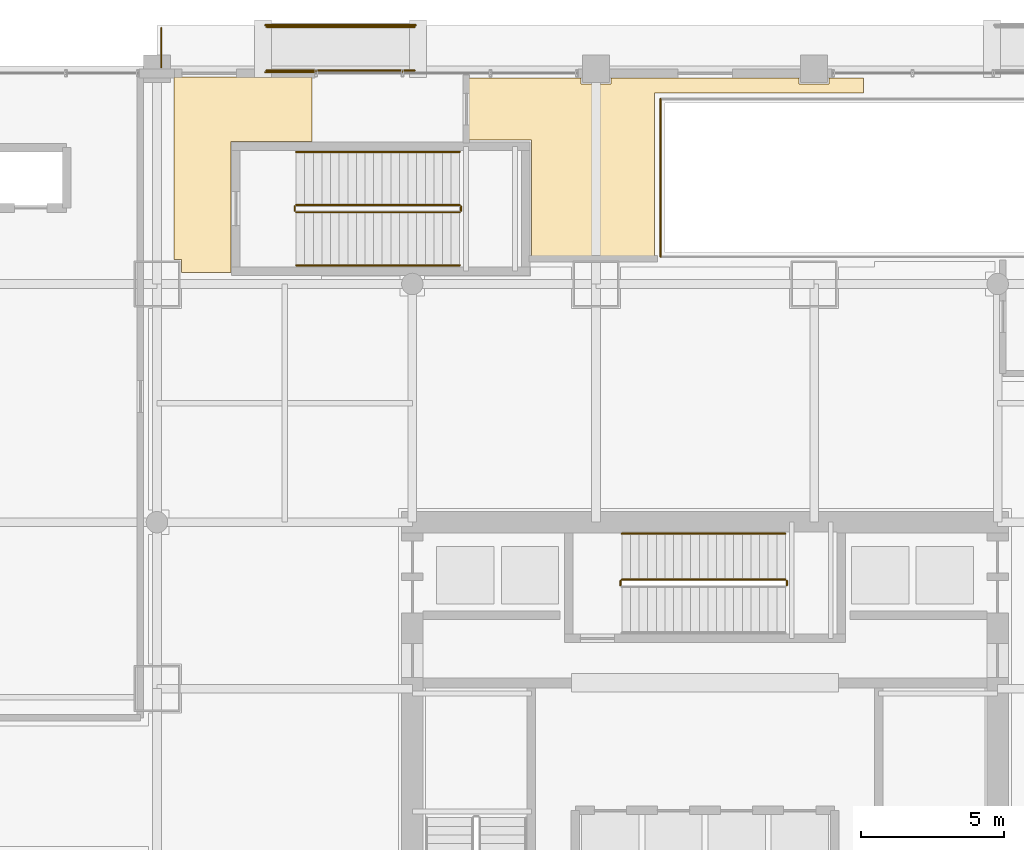
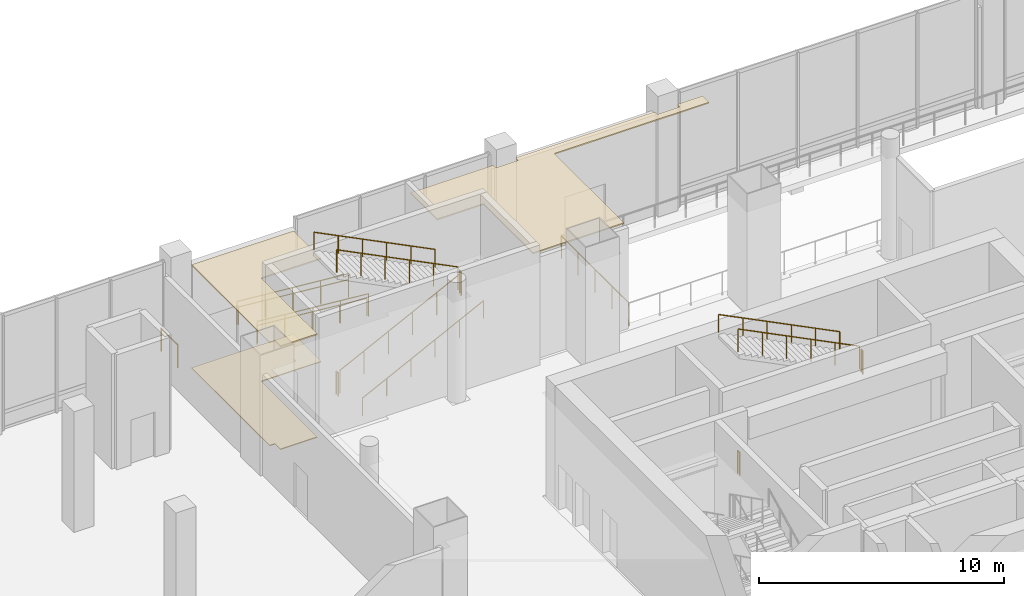
# One storey, part 29 of 32: 16 railings, 3 coverings.
"""IFC4 building model written with IfcOpenShell, lengths in metres."""

from ifc_helpers import new_model, si_unit, direction, frame, origin, origin_2d, place, context, subcontext, project, spatial, polyline, circle, outline, extrude, material, layer, layer_set, type_object, element, save


model = new_model("IFC4")

# Units and contexts
model_context = context("Model", 3, precision=1e-05, world=origin(), true_north=direction((0.0, 1.0)))
body_context = subcontext(model_context, "Body", "Model", "MODEL_VIEW")
ifc_project = project(units=[si_unit("LENGTHUNIT", "METRE"), si_unit("AREAUNIT", "SQUARE_METRE"), si_unit("VOLUMEUNIT", "CUBIC_METRE"), si_unit("PLANEANGLEUNIT", "RADIAN"), si_unit("MASSUNIT", "GRAM", prefix="KILO")], contexts=[model_context])

# Site, building, storey
site_placement = place(None, origin())
site = spatial("IfcSite", under=ifc_project, at=site_placement, CompositionType="ELEMENT")
building_placement = place(site_placement, origin())
building = spatial("IfcBuilding", under=site, at=building_placement, Name="Punatoya Terracotta Tower", CompositionType="ELEMENT")
storey_placement = place(building_placement, origin())
storey = spatial("IfcBuildingStorey", under=building, at=storey_placement, Name="L00", CompositionType="ELEMENT", Elevation=0.0)

# Coverings
ifc_material_1 = material(Name="Acoustic Mineral Fibre Ceiling")
ifc_layer_1 = layer(ifc_material_1, 0.06005859375)
ifc_layer_set_1 = layer_set([ifc_layer_1], Name="Acoustic Mineral Fibre Ceiling")
covering_type_1 = type_object("IfcCoveringType", Name="COV-CEIL-60", PredefinedType="CEILING", material=ifc_layer_set_1)
covering_1_placement = place(storey_placement, frame((0.0, 0.0, 5.110107421875)))
element("IfcCovering", 1, at=covering_1_placement, inside=storey, type_object=covering_type_1, Name="L00 Protected Exit Discharge Passageway ST-P1 Acoustic Ceiling", PredefinedType="CEILING", context=body_context, shape_type="SweptSolid", body=[
    extrude(outline(polyline([(-16.52001953125, 17.89990234375), (-16.52001953125, 22.469970703125), (-13.699951171875, 22.469970703125), (-13.699951171875, 24.719970703125), (-18.5, 24.719970703125), (-18.5, 18.35009765625), (-18.25, 18.35009765625), (-18.25, 17.89990234375), (-16.52001953125, 17.89990234375)])), origin(), (0.0, 0.0, 1.0), 0.059814453125),
])
covering_2_placement = place(storey_placement, frame((0.0, 0.0, 5.110107421875)))
element("IfcCovering", 2, at=covering_2_placement, inside=storey, type_object=covering_type_1, Name="L00 Fire Command and Central Security Control Room Acoustic Ceiling", PredefinedType="CEILING", context=body_context, shape_type="SweptSolid", body=[
    extrude(outline(polyline([(-8.219970703125, 24.679931640625), (-8.219970703125, 22.510009765625), (-6.0400390625, 22.510009765625), (-6.0400390625, 18.47998046875), (-1.760009765625, 18.47998046875), (-1.760009765625, 24.159912109375), (5.52001953125, 24.159912109375), (5.52001953125, 24.679931640625), (4.324951171875, 24.679931640625), (4.324951171875, 24.47509765625), (3.27490234375, 24.47509765625), (3.27490234375, 24.679931640625), (-3.27490234375, 24.679931640625), (-3.27490234375, 24.47509765625), (-4.324951171875, 24.47509765625), (-4.324951171875, 24.679931640625), (-8.219970703125, 24.679931640625)])), origin(), (0.0, 0.0, 1.0), 0.059814453125),
])
ifc_material_2 = material(Name="Sandstone & Raised Access Flooring", Category="masonry")
ifc_layer_2 = layer(ifc_material_2, 0.080078125)
ifc_layer_set_2 = layer_set([ifc_layer_2], Name="Sandstone & Raised Access Flooring")
covering_type_2 = type_object("IfcCoveringType", Name="COV-FLR-80", PredefinedType="FLOORING", material=ifc_layer_set_2)
covering_3_placement = place(storey_placement, origin())
element("IfcCovering", 3, at=covering_3_placement, inside=storey, type_object=covering_type_2, Name="L00 Protected Exit Discharge Passageway ST-P1 Stone Floor Finish", PredefinedType="FLOORING", context=body_context, shape_type="SweptSolid", body=[
    extrude(outline(polyline([(-16.52001953125, 17.89990234375), (-16.52001953125, 22.469970703125), (-13.699951171875, 22.469970703125), (-13.699951171875, 24.719970703125), (-18.5, 24.719970703125), (-18.5, 18.35009765625), (-18.25, 18.35009765625), (-18.25, 17.89990234375), (-16.52001953125, 17.89990234375)])), origin(), (0.0, 0.0, 1.0), 0.0400390625),
])

# Railings
ifc_material_3 = material(Name="Steel S355", Category="steel")
railing_type_1 = type_object("IfcRailingType", Name="RLG-GRD-1150", PredefinedType="GUARDRAIL", material=ifc_material_3)
railing_1_placement = place(storey_placement, frame((2.85009765625, 7.0, 3.0)))
element("IfcRailing", 4, at=railing_1_placement, inside=storey, type_object=railing_type_1, Name="L00 ST-3 stair guard 2", PredefinedType="GUARDRAIL", context=body_context, shape_type="SweptSolid", body=[
    extrude(circle(Radius=0.02392578125, at=origin_2d()), frame((0.0, 0.0, 1.1259765625), z_axis=(0.0, 1.0, 0.0), x_axis=(-1.0, 0.0, 0.0)), (0.0, 0.0, 1.0), 0.14990234375),
    extrude(circle(Radius=0.02099609375, at=origin_2d()), origin(), (0.0, 0.0, 1.0), 1.101806640625),
    extrude(circle(Radius=0.02099609375, at=origin_2d()), frame((0.0, 0.14990234375, 0.0)), (0.0, 0.0, 1.0), 1.101806640625),
])
railing_2_placement = place(storey_placement, frame((2.800048828125, 7.199951171875, 3.14990234375)))
element("IfcRailing", 5, at=railing_2_placement, inside=storey, type_object=railing_type_1, Name="L00 ST-3 stair guard 3", PredefinedType="GUARDRAIL", context=body_context, shape_type="SweptSolid", body=[
    extrude(circle(Radius=0.02392578125, at=origin_2d()), frame((0.0, 0.0, 1.1259765625), z_axis=(-0.894419528903, 0.0, 0.447228919365), x_axis=(0.0, -1.0, 0.0)), (0.0, 0.0, 1.0), 6.372802734375),
    extrude(circle(Radius=0.02099609375, at=origin_2d()), origin(), (0.0, 0.0, 1.0), 1.101806640625),
    extrude(circle(Radius=0.02099609375, at=origin_2d()), frame((-1.139892578125, 0.0, 0.570068359375)), (0.0, 0.0, 1.0), 1.101806640625),
    extrude(circle(Radius=0.02099609375, at=origin_2d()), frame((-2.280029296875, 0.0, 1.14013671875)), (0.0, 0.0, 1.0), 1.101806640625),
    extrude(circle(Radius=0.02099609375, at=origin_2d()), frame((-3.419921875, 0.0, 1.7099609375)), (0.0, 0.0, 1.0), 1.101806640625),
    extrude(circle(Radius=0.02099609375, at=origin_2d()), frame((-4.56005859375, 0.0, 2.280029296875)), (0.0, 0.0, 1.0), 1.101806640625),
    extrude(circle(Radius=0.02099609375, at=origin_2d()), frame((-5.699951171875, 0.0, 2.85009765625)), (0.0, 0.0, 1.0), 1.101806640625),
])
railing_3_placement = place(storey_placement, frame((-2.949951171875, 7.0, 0.0)))
element("IfcRailing", 6, at=railing_3_placement, inside=storey, type_object=railing_type_1, Name="L00 ST-3 stair guard 4", PredefinedType="GUARDRAIL", context=body_context, shape_type="SweptSolid", body=[
    extrude(circle(Radius=0.02392578125, at=origin_2d()), frame((0.0, 0.0, 1.1259765625), z_axis=(0.0, 1.0, 0.0), x_axis=(-1.0, 0.0, 0.0)), (0.0, 0.0, 1.0), 0.14990234375),
    extrude(circle(Radius=0.02099609375, at=origin_2d()), origin(), (0.0, 0.0, 1.0), 1.101806640625),
    extrude(circle(Radius=0.02099609375, at=origin_2d()), frame((0.0, 0.14990234375, 0.0)), (0.0, 0.0, 1.0), 1.101806640625),
])
railing_4_placement = place(storey_placement, frame((-14.25, 20.0, 0.14990234375)))
element("IfcRailing", 7, at=railing_4_placement, inside=storey, type_object=railing_type_1, Name="L00 ST-P1 stair guard 1", PredefinedType="GUARDRAIL", context=body_context, shape_type="SweptSolid", body=[
    extrude(circle(Radius=0.02392578125, at=origin_2d()), frame((0.0, 0.0, 1.1259765625), z_axis=(0.894419528903, 0.0, 0.447228919365), x_axis=(0.0, 1.0, 0.0)), (0.0, 0.0, 1.0), 6.372802734375),
    extrude(circle(Radius=0.02099609375, at=origin_2d()), origin(), (0.0, 0.0, 1.0), 1.101806640625),
    extrude(circle(Radius=0.02099609375, at=origin_2d()), frame((1.139892578125, 0.0, 0.570068359375)), (0.0, 0.0, 1.0), 1.101806640625),
    extrude(circle(Radius=0.02099609375, at=origin_2d()), frame((2.280029296875, 0.0, 1.14013671875)), (0.0, 0.0, 1.0), 1.101806640625),
    extrude(circle(Radius=0.02099609375, at=origin_2d()), frame((3.419921875, 0.0, 1.7099609375)), (0.0, 0.0, 1.0), 1.101806640625),
    extrude(circle(Radius=0.02099609375, at=origin_2d()), frame((4.56005859375, 0.0, 2.280029296875)), (0.0, 0.0, 1.0), 1.101806640625),
    extrude(circle(Radius=0.02099609375, at=origin_2d()), frame((5.699951171875, 0.0, 2.85009765625)), (0.0, 0.0, 1.0), 1.101806640625),
])
railing_5_placement = place(storey_placement, frame((-8.5, 20.050048828125, 3.0)))
element("IfcRailing", 8, at=railing_5_placement, inside=storey, type_object=railing_type_1, Name="L00 ST-P1 stair guard 2", PredefinedType="GUARDRAIL", context=body_context, shape_type="SweptSolid", body=[
    extrude(circle(Radius=0.02392578125, at=origin_2d()), frame((0.0, 0.0, 1.1259765625), z_axis=(0.0, 1.0, 0.0), x_axis=(-1.0, 0.0, 0.0)), (0.0, 0.0, 1.0), 0.14990234375),
    extrude(circle(Radius=0.02099609375, at=origin_2d()), origin(), (0.0, 0.0, 1.0), 1.101806640625),
    extrude(circle(Radius=0.02099609375, at=origin_2d()), frame((0.0, 0.14990234375, 0.0)), (0.0, 0.0, 1.0), 1.101806640625),
])
railing_6_placement = place(storey_placement, frame((-8.550048828125, 20.25, 3.14990234375)))
element("IfcRailing", 9, at=railing_6_placement, inside=storey, type_object=railing_type_1, Name="L00 ST-P1 stair guard 3", PredefinedType="GUARDRAIL", context=body_context, shape_type="SweptSolid", body=[
    extrude(circle(Radius=0.02392578125, at=origin_2d()), frame((0.0, 0.0, 1.1259765625), z_axis=(-0.894419528903, 0.0, 0.447228919365), x_axis=(0.0, -1.0, 0.0)), (0.0, 0.0, 1.0), 6.372802734375),
    extrude(circle(Radius=0.02099609375, at=origin_2d()), origin(), (0.0, 0.0, 1.0), 1.101806640625),
    extrude(circle(Radius=0.02099609375, at=origin_2d()), frame((-1.139892578125, 0.0, 0.570068359375)), (0.0, 0.0, 1.0), 1.101806640625),
    extrude(circle(Radius=0.02099609375, at=origin_2d()), frame((-2.280029296875, 0.0, 1.14013671875)), (0.0, 0.0, 1.0), 1.101806640625),
    extrude(circle(Radius=0.02099609375, at=origin_2d()), frame((-3.419921875, 0.0, 1.7099609375)), (0.0, 0.0, 1.0), 1.101806640625),
    extrude(circle(Radius=0.02099609375, at=origin_2d()), frame((-4.56005859375, 0.0, 2.280029296875)), (0.0, 0.0, 1.0), 1.101806640625),
    extrude(circle(Radius=0.02099609375, at=origin_2d()), frame((-5.699951171875, 0.0, 2.85009765625)), (0.0, 0.0, 1.0), 1.101806640625),
])
railing_7_placement = place(storey_placement, frame((-14.300048828125, 20.050048828125, 0.0)))
element("IfcRailing", 10, at=railing_7_placement, inside=storey, type_object=railing_type_1, Name="L00 ST-P1 stair guard 4", PredefinedType="GUARDRAIL", context=body_context, shape_type="SweptSolid", body=[
    extrude(circle(Radius=0.02392578125, at=origin_2d()), frame((0.0, 0.0, 1.1259765625), z_axis=(0.0, 1.0, 0.0), x_axis=(-1.0, 0.0, 0.0)), (0.0, 0.0, 1.0), 0.14990234375),
    extrude(circle(Radius=0.02099609375, at=origin_2d()), origin(), (0.0, 0.0, 1.0), 1.101806640625),
    extrude(circle(Radius=0.02099609375, at=origin_2d()), frame((0.0, 0.14990234375, 0.0)), (0.0, 0.0, 1.0), 1.101806640625),
])
railing_8_placement = place(storey_placement, frame((-1.550048828125, 18.449951171875, 0.0)))
element("IfcRailing", 11, at=railing_8_placement, inside=storey, type_object=railing_type_1, Name="L00 VR-2 Well West Head Guard", PredefinedType="GUARDRAIL", context=body_context, shape_type="SweptSolid", body=[
    extrude(circle(Radius=0.02392578125, at=origin_2d()), frame((0.0, 0.0, 1.1259765625), z_axis=(0.0, 1.0, 0.0), x_axis=(-1.0, 0.0, 0.0)), (0.0, 0.0, 1.0), 5.5),
    extrude(circle(Radius=0.02099609375, at=origin_2d()), origin(), (0.0, 0.0, 1.0), 1.101806640625),
    extrude(circle(Radius=0.02099609375, at=origin_2d()), frame((0.0, 1.375, 0.0)), (0.0, 0.0, 1.0), 1.101806640625),
    extrude(circle(Radius=0.02099609375, at=origin_2d()), frame((0.0, 2.75, 0.0)), (0.0, 0.0, 1.0), 1.101806640625),
    extrude(circle(Radius=0.02099609375, at=origin_2d()), frame((0.0, 4.125, 0.0)), (0.0, 0.0, 1.0), 1.101806640625),
    extrude(circle(Radius=0.02099609375, at=origin_2d()), frame((0.0, 5.5, 0.0)), (0.0, 0.0, 1.0), 1.101806640625),
])
for number, where, name in (
    (12, (-15.320068359375, 24.8798828125, 0.0), "PR-3 Guardrail S"),
    (13, (-15.320068359375, 26.52001953125, 0.0), "PR-3 Guardrail N"),
):
    element("IfcRailing", number, at=place(storey_placement, frame(where)), inside=storey, type_object=railing_type_1, Name=name, PredefinedType="GUARDRAIL", context=body_context, shape_type="SweptSolid", body=[
        extrude(circle(Radius=0.02392578125, at=origin_2d()), frame((0.0, 0.0, 1.1259765625), z_axis=(0.996333546167, 0.0, -0.085553870642), x_axis=(0.0, 1.0, 0.0)), (0.0, 0.0, 1.0), 5.25927734375),
        extrude(circle(Radius=0.02099609375, at=origin_2d()), origin(), (0.0, 0.0, 1.0), 1.101806640625),
        extrude(circle(Radius=0.02099609375, at=origin_2d()), frame((1.31005859375, 0.0, -0.112548828125)), (0.0, 0.0, 1.0), 1.101806640625),
        extrude(circle(Radius=0.02099609375, at=origin_2d()), frame((2.6201171875, 0.0, -0.22509765625)), (0.0, 0.0, 1.0), 1.101806640625),
        extrude(circle(Radius=0.02099609375, at=origin_2d()), frame((3.929931640625, 0.0, -0.33740234375)), (0.0, 0.0, 1.0), 1.101806640625),
        extrude(circle(Radius=0.02099609375, at=origin_2d()), frame((5.239990234375, 0.0, -0.449951171875)), (0.0, 0.0, 1.0), 1.101806640625),
    ])
railing_9_placement = place(storey_placement, frame((-18.949951171875, 25.050048828125, 0.0)))
element("IfcRailing", 14, at=railing_9_placement, inside=storey, type_object=railing_type_1, Name="L00 North Forecourt W Edge Guard", PredefinedType="GUARDRAIL", context=body_context, shape_type="SweptSolid", body=[
    extrude(circle(Radius=0.02392578125, at=origin_2d()), frame((0.0, 0.0, 1.1259765625), z_axis=(0.0, 1.0, 0.0), x_axis=(-1.0, 0.0, 0.0)), (0.0, 0.0, 1.0), 1.369873046875),
    extrude(circle(Radius=0.02099609375, at=origin_2d()), origin(), (0.0, 0.0, 1.0), 1.101806640625),
    extrude(circle(Radius=0.02099609375, at=origin_2d()), frame((0.0, 1.369873046875, 0.0)), (0.0, 0.0, 1.0), 1.101806640625),
])
railing_type_2 = type_object("IfcRailingType", Name="RLG-HND-900", PredefinedType="HANDRAIL", material=ifc_material_3)
railing_10_placement = place(storey_placement, frame((2.800048828125, 8.800048828125, 3.14990234375)))
element("IfcRailing", 15, at=railing_10_placement, inside=storey, type_object=railing_type_2, Name="L00 ST-3 stair handrail 2", PredefinedType="HANDRAIL", context=body_context, shape_type="SweptSolid", body=[
    extrude(circle(Radius=0.02392578125, at=origin_2d()), frame((0.0, 0.0, 0.8759765625), z_axis=(-0.894419528903, 0.0, 0.447228919365), x_axis=(0.0, -1.0, 0.0)), (0.0, 0.0, 1.0), 6.372802734375),
    extrude(circle(Radius=0.02099609375, at=origin_2d()), origin(), (0.0, 0.0, 1.0), 0.851806640625),
    extrude(circle(Radius=0.02099609375, at=origin_2d()), frame((-1.139892578125, 0.0, 0.570068359375)), (0.0, 0.0, 1.0), 0.851806640625),
    extrude(circle(Radius=0.02099609375, at=origin_2d()), frame((-2.280029296875, 0.0, 1.14013671875)), (0.0, 0.0, 1.0), 0.851806640625),
    extrude(circle(Radius=0.02099609375, at=origin_2d()), frame((-3.419921875, 0.0, 1.7099609375)), (0.0, 0.0, 1.0), 0.851806640625),
    extrude(circle(Radius=0.02099609375, at=origin_2d()), frame((-4.56005859375, 0.0, 2.280029296875)), (0.0, 0.0, 1.0), 0.851806640625),
    extrude(circle(Radius=0.02099609375, at=origin_2d()), frame((-5.699951171875, 0.0, 2.85009765625)), (0.0, 0.0, 1.0), 0.851806640625),
])
railing_11_placement = place(storey_placement, frame((-14.25, 18.14990234375, 0.14990234375)))
element("IfcRailing", 16, at=railing_11_placement, inside=storey, type_object=railing_type_2, Name="L00 ST-P1 stair handrail 1", PredefinedType="HANDRAIL", context=body_context, shape_type="SweptSolid", body=[
    extrude(circle(Radius=0.02392578125, at=origin_2d()), frame((0.0, 0.0, 0.8759765625), z_axis=(0.894419528903, 0.0, 0.447228919365), x_axis=(0.0, 1.0, 0.0)), (0.0, 0.0, 1.0), 6.372802734375),
    extrude(circle(Radius=0.02099609375, at=origin_2d()), origin(), (0.0, 0.0, 1.0), 0.851806640625),
    extrude(circle(Radius=0.02099609375, at=origin_2d()), frame((1.139892578125, 0.0, 0.570068359375)), (0.0, 0.0, 1.0), 0.851806640625),
    extrude(circle(Radius=0.02099609375, at=origin_2d()), frame((2.280029296875, 0.0, 1.14013671875)), (0.0, 0.0, 1.0), 0.851806640625),
    extrude(circle(Radius=0.02099609375, at=origin_2d()), frame((3.419921875, 0.0, 1.7099609375)), (0.0, 0.0, 1.0), 0.851806640625),
    extrude(circle(Radius=0.02099609375, at=origin_2d()), frame((4.56005859375, 0.0, 2.280029296875)), (0.0, 0.0, 1.0), 0.851806640625),
    extrude(circle(Radius=0.02099609375, at=origin_2d()), frame((5.699951171875, 0.0, 2.85009765625)), (0.0, 0.0, 1.0), 0.851806640625),
])
railing_12_placement = place(storey_placement, frame((-8.550048828125, 22.10009765625, 3.14990234375)))
element("IfcRailing", 17, at=railing_12_placement, inside=storey, type_object=railing_type_2, Name="L00 ST-P1 stair handrail 2", PredefinedType="HANDRAIL", context=body_context, shape_type="SweptSolid", body=[
    extrude(circle(Radius=0.02392578125, at=origin_2d()), frame((0.0, 0.0, 0.8759765625), z_axis=(-0.894419528903, 0.0, 0.447228919365), x_axis=(0.0, -1.0, 0.0)), (0.0, 0.0, 1.0), 6.372802734375),
    extrude(circle(Radius=0.02099609375, at=origin_2d()), origin(), (0.0, 0.0, 1.0), 0.851806640625),
    extrude(circle(Radius=0.02099609375, at=origin_2d()), frame((-1.139892578125, 0.0, 0.570068359375)), (0.0, 0.0, 1.0), 0.851806640625),
    extrude(circle(Radius=0.02099609375, at=origin_2d()), frame((-2.280029296875, 0.0, 1.14013671875)), (0.0, 0.0, 1.0), 0.851806640625),
    extrude(circle(Radius=0.02099609375, at=origin_2d()), frame((-3.419921875, 0.0, 1.7099609375)), (0.0, 0.0, 1.0), 0.851806640625),
    extrude(circle(Radius=0.02099609375, at=origin_2d()), frame((-4.56005859375, 0.0, 2.280029296875)), (0.0, 0.0, 1.0), 0.851806640625),
    extrude(circle(Radius=0.02099609375, at=origin_2d()), frame((-5.699951171875, 0.0, 2.85009765625)), (0.0, 0.0, 1.0), 0.851806640625),
])
for number, where, name in (
    (18, (-15.280029296875, 24.93994140625, 0.0), "PR-3 Handrail S"),
    (19, (-15.280029296875, 26.4599609375, 0.0), "PR-3 Handrail N"),
):
    element("IfcRailing", number, at=place(storey_placement, frame(where)), inside=storey, type_object=railing_type_2, Name=name, PredefinedType="HANDRAIL", context=body_context, shape_type="SweptSolid", body=[
        extrude(circle(Radius=0.02392578125, at=origin_2d()), frame((0.0, 0.0, 0.8759765625), z_axis=(0.996219511194, 0.0, -0.086871661184), x_axis=(0.0, 1.0, 0.0)), (0.0, 0.0, 1.0), 5.179443359375),
        extrude(circle(Radius=0.02099609375, at=origin_2d()), origin(), (0.0, 0.0, 1.0), 0.851806640625),
        extrude(circle(Radius=0.02099609375, at=origin_2d()), frame((1.2900390625, 0.0, -0.112548828125)), (0.0, 0.0, 1.0), 0.851806640625),
        extrude(circle(Radius=0.02099609375, at=origin_2d()), frame((2.580078125, 0.0, -0.22509765625)), (0.0, 0.0, 1.0), 0.851806640625),
        extrude(circle(Radius=0.02099609375, at=origin_2d()), frame((3.869873046875, 0.0, -0.33740234375)), (0.0, 0.0, 1.0), 0.851806640625),
        extrude(circle(Radius=0.02099609375, at=origin_2d()), frame((5.159912109375, 0.0, -0.449951171875)), (0.0, 0.0, 1.0), 0.851806640625),
    ])

save(model, "model.ifc")
